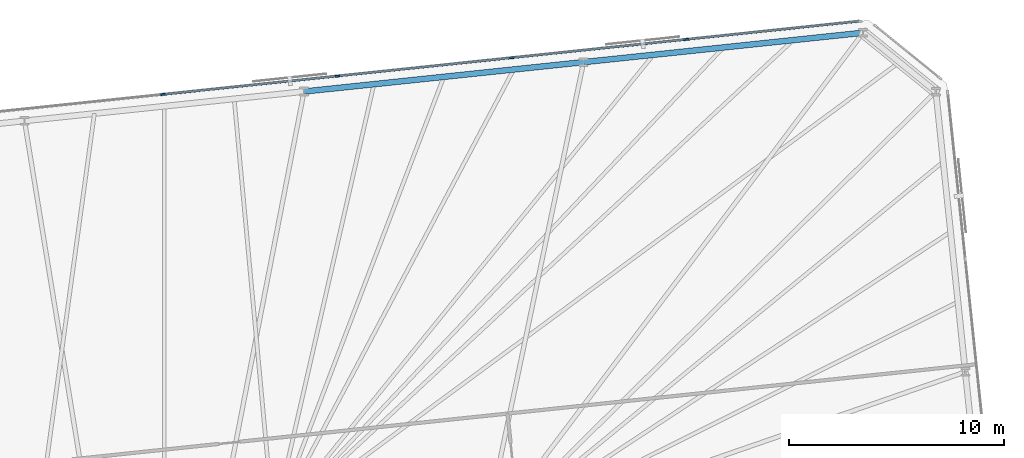
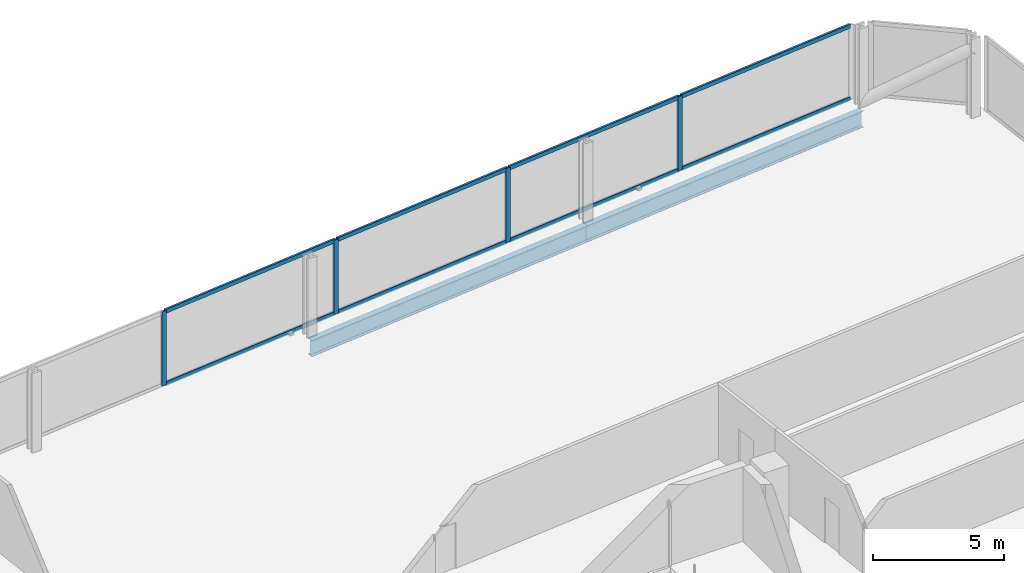
# One storey, part 11 of 18: 12 members, 2 beams, 1 element without a shape of its own.
"""IFC4 building model written with IfcOpenShell, lengths in metres."""

from ifc_helpers import new_model, si_unit, direction, frame, origin, origin_2d, place, context, subcontext, project, spatial, rectangle, i_section, extrude, material, material_profile, profile_set, type_object, element, aggregate, save


model = new_model("IFC4")

# Units and contexts
model_context = context("Model", 3, precision=1e-05, world=origin(), true_north=direction((0.0, 1.0)))
body_context = subcontext(model_context, "Body", "Model", "MODEL_VIEW")
ifc_project = project(units=[si_unit("LENGTHUNIT", "METRE"), si_unit("AREAUNIT", "SQUARE_METRE"), si_unit("VOLUMEUNIT", "CUBIC_METRE"), si_unit("PLANEANGLEUNIT", "RADIAN"), si_unit("MASSUNIT", "GRAM", prefix="KILO")], contexts=[model_context])

# Site, building, storey
site_placement = place(None, origin())
site = spatial("IfcSite", under=ifc_project, at=site_placement, CompositionType="ELEMENT")
building_placement = place(site_placement, origin())
building = spatial("IfcBuilding", under=site, at=building_placement, Name="Menara Jurai Vektor", CompositionType="ELEMENT")
storey_placement = place(building_placement, frame((0.0, 0.0, 102.199951171875)))
storey = spatial("IfcBuildingStorey", under=building, at=storey_placement, Name="L25", CompositionType="ELEMENT", Elevation=102.199951171875)

# Curtain wall, members
ifc_material_1 = material(Name="Anodised Pale Aluminium & Low-E Double Glazing", Category="aluminium")
curtain_wall_type = type_object("IfcCurtainWallType", Name="CW-BLK2", PredefinedType="NOTDEFINED", material=ifc_material_1)
curtain_wall_placement = place(storey_placement, origin())
curtain_wall = element("IfcCurtainWall", 1, at=curtain_wall_placement, inside=storey, type_object=curtain_wall_type, Name="Unitised Curtain Wall L25 F05", PredefinedType="NOTDEFINED")
ifc_material_2 = material(Name="Anodised Pale Aluminium Mullion", Category="aluminium")
ifc_material_profile_1 = material_profile(ifc_material_2, rectangle(XDim=0.090087890625, YDim=0.219970703125, at=origin_2d()), Name="ALU MUL 90x220")
ifc_profile_set_1 = profile_set([ifc_material_profile_1], Name="Anodised Pale Aluminium Mullion")
member_type_1 = type_object("IfcMemberType", Name="CW-BLK2-MUL", PredefinedType="MULLION", material=ifc_profile_set_1)
member_1_placement = place(storey_placement, frame((24.663330078125, 28.075927734375, 0.0), z_axis=(0.0, 0.0, 1.0), x_axis=(0.104528634935, -0.994521877325, 0.0)))
member_1 = element("IfcMember", 2, at=member_1_placement, type_object=member_type_1, Name="CW-02 mullion 2", PredefinedType="MULLION", context=body_context, shape_type="SweptSolid", body=[
    extrude(rectangle(XDim=0.090087890625, YDim=0.219970703125, at=origin_2d()), origin(), (0.0, 0.0, 1.0), 3.47509765625),
])
member_2_placement = place(storey_placement, frame((16.5654296875, 27.224853515625, 0.0), z_axis=(0.0, 0.0, 1.0), x_axis=(0.104528634935, -0.994521877325, 0.0)))
member_2 = element("IfcMember", 3, at=member_2_placement, type_object=member_type_1, Name="CW-02 mullion 3", PredefinedType="MULLION", context=body_context, shape_type="SweptSolid", body=[
    extrude(rectangle(XDim=0.090087890625, YDim=0.219970703125, at=origin_2d()), origin(), (0.0, 0.0, 1.0), 3.47509765625),
])
member_3_placement = place(storey_placement, frame((8.467529296875, 26.373779296875, 0.0), z_axis=(0.0, 0.0, 1.0), x_axis=(0.104528634935, -0.994521877325, 0.0)))
member_3 = element("IfcMember", 4, at=member_3_placement, type_object=member_type_1, Name="CW-02 mullion 4", PredefinedType="MULLION", context=body_context, shape_type="SweptSolid", body=[
    extrude(rectangle(XDim=0.090087890625, YDim=0.219970703125, at=origin_2d()), origin(), (0.0, 0.0, 1.0), 3.47509765625),
])
member_4_placement = place(storey_placement, frame((0.36962890625, 25.522705078125, 0.0), z_axis=(0.0, 0.0, 1.0), x_axis=(0.104528634935, -0.994521877325, 0.0)))
member_4 = element("IfcMember", 5, at=member_4_placement, type_object=member_type_1, Name="CW-02 mullion 5", PredefinedType="MULLION", context=body_context, shape_type="SweptSolid", body=[
    extrude(rectangle(XDim=0.090087890625, YDim=0.219970703125, at=origin_2d()), origin(), (0.0, 0.0, 1.0), 3.47509765625),
])
ifc_material_3 = material(Name="Anodised Pale Aluminium Transom", Category="aluminium")
ifc_material_profile_2 = material_profile(ifc_material_3, rectangle(XDim=0.090087890625, YDim=0.18505859375, at=origin_2d()), Name="ALU TRN 90x185")
ifc_profile_set_2 = profile_set([ifc_material_profile_2], Name="Anodised Pale Aluminium Transom")
member_type_2 = type_object("IfcMemberType", Name="CW-BLK2-TRN", PredefinedType="USERDEFINED", material=ifc_profile_set_2)
member_5_placement = place(storey_placement, frame((32.671875, 28.917724609375, 0.045166015625), z_axis=(-0.994519977808, -0.104546706027, 0.0), x_axis=(0.104546706027, -0.994519977808, 0.0)))
member_5 = element("IfcMember", 6, at=member_5_placement, type_object=member_type_2, Name="CW-02 transom 1.1", ObjectType="TRANSOM", PredefinedType="USERDEFINED", context=body_context, shape_type="SweptSolid", body=[
    extrude(rectangle(XDim=0.090087890625, YDim=0.18505859375, at=origin_2d()), origin(), (0.0, 0.0, 1.0), 8.007568359375),
])
member_6_placement = place(storey_placement, frame((32.671875, 28.917724609375, 3.429931640625), z_axis=(-0.994519977808, -0.104546706027, 0.0), x_axis=(0.104546706027, -0.994519977808, 0.0)))
member_6 = element("IfcMember", 7, at=member_6_placement, type_object=member_type_2, Name="CW-02 transom 1.2", ObjectType="TRANSOM", PredefinedType="USERDEFINED", context=body_context, shape_type="SweptSolid", body=[
    extrude(rectangle(XDim=0.090087890625, YDim=0.18505859375, at=origin_2d()), origin(), (0.0, 0.0, 1.0), 8.007568359375),
])
member_7_placement = place(storey_placement, frame((24.61865234375, 28.0712890625, 0.045166015625), z_axis=(-0.994520726373, -0.10453958492, 0.0), x_axis=(0.10453958492, -0.994520726373, 0.0)))
member_7 = element("IfcMember", 8, at=member_7_placement, type_object=member_type_2, Name="CW-02 transom 2.1", ObjectType="TRANSOM", PredefinedType="USERDEFINED", context=body_context, shape_type="SweptSolid", body=[
    extrude(rectangle(XDim=0.090087890625, YDim=0.18505859375, at=origin_2d()), origin(), (0.0, 0.0, 1.0), 8.052490234375),
])
member_8_placement = place(storey_placement, frame((24.61865234375, 28.0712890625, 3.429931640625), z_axis=(-0.994520726373, -0.10453958492, 0.0), x_axis=(0.10453958492, -0.994520726373, 0.0)))
member_8 = element("IfcMember", 9, at=member_8_placement, type_object=member_type_2, Name="CW-02 transom 2.2", ObjectType="TRANSOM", PredefinedType="USERDEFINED", context=body_context, shape_type="SweptSolid", body=[
    extrude(rectangle(XDim=0.090087890625, YDim=0.18505859375, at=origin_2d()), origin(), (0.0, 0.0, 1.0), 8.052490234375),
])
member_9_placement = place(storey_placement, frame((16.520751953125, 27.22021484375, 0.045166015625), z_axis=(-0.994520726373, -0.10453958492, 0.0), x_axis=(0.10453958492, -0.994520726373, 0.0)))
member_9 = element("IfcMember", 10, at=member_9_placement, type_object=member_type_2, Name="CW-02 transom 3.1", ObjectType="TRANSOM", PredefinedType="USERDEFINED", context=body_context, shape_type="SweptSolid", body=[
    extrude(rectangle(XDim=0.090087890625, YDim=0.18505859375, at=origin_2d()), origin(), (0.0, 0.0, 1.0), 8.052490234375),
])
member_10_placement = place(storey_placement, frame((16.520751953125, 27.22021484375, 3.429931640625), z_axis=(-0.994520726373, -0.10453958492, 0.0), x_axis=(0.10453958492, -0.994520726373, 0.0)))
member_10 = element("IfcMember", 11, at=member_10_placement, type_object=member_type_2, Name="CW-02 transom 3.2", ObjectType="TRANSOM", PredefinedType="USERDEFINED", context=body_context, shape_type="SweptSolid", body=[
    extrude(rectangle(XDim=0.090087890625, YDim=0.18505859375, at=origin_2d()), origin(), (0.0, 0.0, 1.0), 8.052490234375),
])
member_11_placement = place(storey_placement, frame((8.4228515625, 26.369140625, 0.045166015625), z_axis=(-0.994520726373, -0.10453958492, 0.0), x_axis=(0.10453958492, -0.994520726373, 0.0)))
member_11 = element("IfcMember", 12, at=member_11_placement, type_object=member_type_2, Name="CW-02 transom 4.1", ObjectType="TRANSOM", PredefinedType="USERDEFINED", context=body_context, shape_type="SweptSolid", body=[
    extrude(rectangle(XDim=0.090087890625, YDim=0.18505859375, at=origin_2d()), origin(), (0.0, 0.0, 1.0), 8.052490234375),
])
member_12_placement = place(storey_placement, frame((8.4228515625, 26.369140625, 3.429931640625), z_axis=(-0.994520726373, -0.10453958492, 0.0), x_axis=(0.10453958492, -0.994520726373, 0.0)))
member_12 = element("IfcMember", 13, at=member_12_placement, type_object=member_type_2, Name="CW-02 transom 4.2", ObjectType="TRANSOM", PredefinedType="USERDEFINED", context=body_context, shape_type="SweptSolid", body=[
    extrude(rectangle(XDim=0.090087890625, YDim=0.18505859375, at=origin_2d()), origin(), (0.0, 0.0, 1.0), 8.052490234375),
])
aggregate(curtain_wall, [member_1, member_2, member_3, member_4, member_5, member_6, member_7, member_8, member_9, member_10, member_11, member_12])

# Beams
ifc_material_4 = material(Name="Steel S460", Category="steel")
ifc_material_profile_3 = material_profile(ifc_material_4, i_section(OverallWidth=0.26806640625, OverallDepth=0.77001953125, WebThickness=0.01611328125, FlangeThickness=0.02490234375, FilletRadius=0.01708984375, at=origin_2d()), Name="UKB 762x267x197")
ifc_profile_set_3 = profile_set([ifc_material_profile_3], Name="Steel S460")
beam_type = type_object("IfcBeamType", Name="STR-SP-762", PredefinedType="SPANDREL", material=ifc_profile_set_3)
beam_1_placement = place(storey_placement, frame((32.876220703125, 28.38623046875, -0.60986328125), z_axis=(-0.994521431679, -0.104532874882, 0.0), x_axis=(0.104532874882, -0.994521431679, 0.0)))
element("IfcBeam", 14, at=beam_1_placement, inside=storey, type_object=beam_type, Name="Exoskeleton Spandrel Beam L25-11", PredefinedType="SPANDREL", context=body_context, shape_type="SweptSolid", body=[
    extrude(i_section(OverallWidth=0.26806640625, OverallDepth=0.77001953125, WebThickness=0.01611328125, FlangeThickness=0.02490234375, FilletRadius=0.01708984375, at=origin_2d()), origin(), (0.0, 0.0, 1.0), 13.051025390625),
])
beam_2_placement = place(storey_placement, frame((19.896728515625, 27.02197265625, -0.60986328125), z_axis=(-0.994521636083, -0.104530930169, 0.0), x_axis=(0.104530930169, -0.994521636083, 0.0)))
element("IfcBeam", 15, at=beam_2_placement, inside=storey, type_object=beam_type, Name="Exoskeleton Spandrel Beam L25-12", PredefinedType="SPANDREL", context=body_context, shape_type="SweptSolid", body=[
    extrude(i_section(OverallWidth=0.26806640625, OverallDepth=0.77001953125, WebThickness=0.01611328125, FlangeThickness=0.02490234375, FilletRadius=0.01708984375, at=origin_2d()), origin(), (0.0, 0.0, 1.0), 13.05126953125),
])

save(model, "model.ifc")
